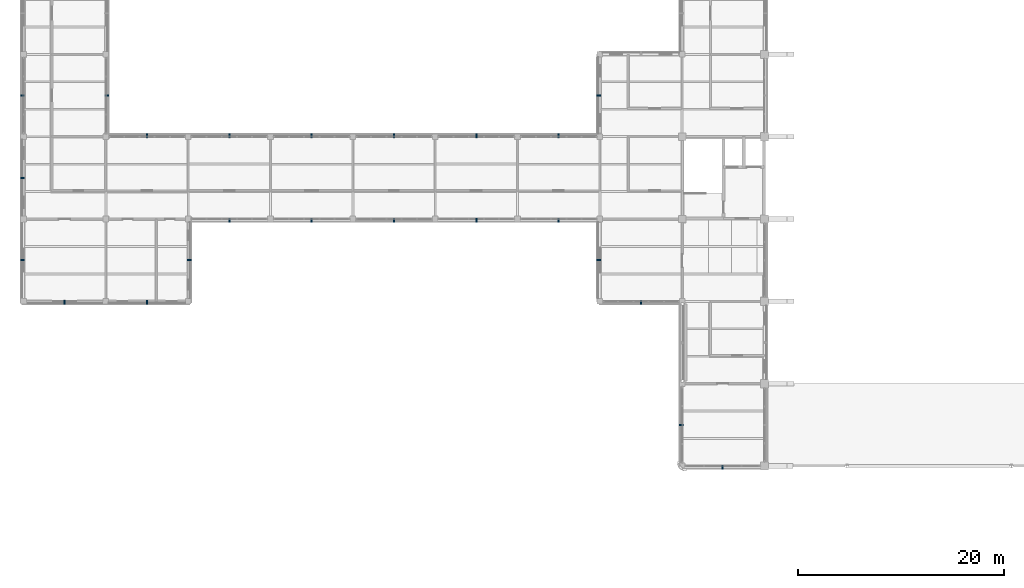
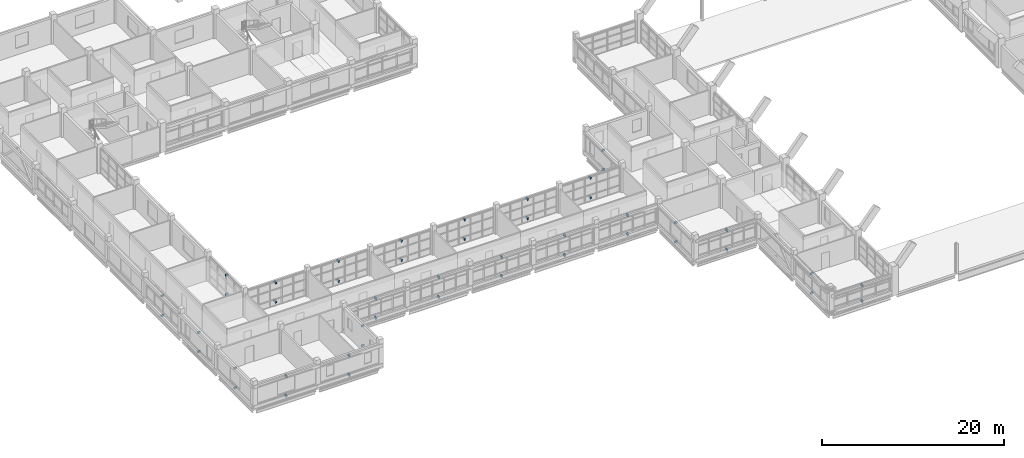
# One storey, part 77 of 92: 46 discrete accessories.
"""IFC4 building model written with IfcOpenShell, lengths in metres."""

from ifc_helpers import new_model, si_unit, derived_unit, direction, frame, origin, origin_2d, place, context, subcontext, project, spatial, rectangle, extrude, material, type_object, element, save


model = new_model("IFC4")

# Units and contexts
model_context = context("Model", 3, precision=1e-05, world=origin(), true_north=direction((0.0, 1.0)))
body_context = subcontext(model_context, "Body", "Model", "MODEL_VIEW")
ifc_project = project(units=[si_unit("LENGTHUNIT", "METRE"), si_unit("AREAUNIT", "SQUARE_METRE"), si_unit("VOLUMEUNIT", "CUBIC_METRE"), si_unit("PLANEANGLEUNIT", "RADIAN"), si_unit("MASSUNIT", "GRAM", prefix="KILO"), derived_unit("THERMALTRANSMITTANCEUNIT", [(si_unit("MASSUNIT", "GRAM", prefix="KILO"), 1), (si_unit("TIMEUNIT", "SECOND"), -3), (si_unit("THERMODYNAMICTEMPERATUREUNIT", "KELVIN"), -1)])], contexts=[model_context])

# Site, building, storey
site_placement = place(None, origin())
site = spatial("IfcSite", under=ifc_project, at=site_placement, CompositionType="ELEMENT")
building_placement = place(site_placement, origin())
building = spatial("IfcBuilding", under=site, at=building_placement, Name="Veyamyaing Civic Hall", CompositionType="ELEMENT")
storey_placement = place(building_placement, frame((0.0, 0.0, 17.820068359375)))
storey = spatial("IfcBuildingStorey", under=building, at=storey_placement, Name="L04", CompositionType="ELEMENT", Elevation=17.820068359375)

# Discrete accessories
ifc_material = material(Name="Steel S355J2", Category="steel")
discrete_accessory_type = type_object("IfcDiscreteAccessoryType", Name="BK-01", PredefinedType="BRACKET", material=ifc_material)
for number, where, z_axis, x_axis, name in (
    (1, (4.0, 39.89990234375, 3.0087890625), (0.0, 0.0, 1.0), (0.0, -1.0, 0.0), "Sunshade anchor bracket BK-01 L04 S 1.6"),
    (2, (4.0, 39.89990234375, 0.35986328125), (0.0, 0.0, 1.0), (0.0, -1.0, 0.0), "Lower ribbon anchor bracket BK-01 L04 S 1.6"),
    (3, (-0.10009765625, 44.0, 3.0087890625), (0.0, 0.0, 1.0), (-1.0, 0.0, 0.0), "Sunshade anchor bracket BK-01 L04 W 1.6"),
    (4, (-0.10009765625, 44.0, 0.35986328125), (0.0, 0.0, 1.0), (-1.0, 0.0, 0.0), "Lower ribbon anchor bracket BK-01 L04 W 1.6"),
    (5, (-0.10009765625, 52.0, 2.94873046875), (0.0, 0.0, 1.0), (-1.0, 0.0, 0.0), "Sunshade anchor bracket BK-01 L04 W 1.7"),
    (6, (-0.10009765625, 52.0, 0.35986328125), (0.0, 0.0, 1.0), (-1.0, 0.0, 0.0), "Lower ribbon anchor bracket BK-01 L04 W 1.7"),
    (7, (-0.10009765625, 60.0, 3.01171875), (0.0, 0.0, 1.0), (-1.0, 0.0, 0.0), "Sunshade anchor bracket BK-01 L04 W 1.8"),
    (8, (-0.10009765625, 60.0, 0.35986328125), (0.0, 0.0, 1.0), (-1.0, 0.0, 0.0), "Lower ribbon anchor bracket BK-01 L04 W 1.8"),
    (9, (8.10009765625, 60.0, 2.94482421875), (0.0, 0.0, 1.0), (1.0, 0.0, 0.0), "Sunshade anchor bracket BK-01 L04 E 1.8"),
    (10, (8.10009765625, 60.0, 0.35986328125), (0.0, 0.0, 1.0), (1.0, 0.0, 0.0), "Lower ribbon anchor bracket BK-01 L04 E 1.8"),
    (11, (12.0, 39.89990234375, 2.94873046875), (0.0, 0.0, 1.0), (0.0, -1.0, 0.0), "Sunshade anchor bracket BK-01 L04 S 2.6"),
    (12, (12.0, 39.89990234375, 0.35986328125), (0.0, 0.0, 1.0), (0.0, -1.0, 0.0), "Lower ribbon anchor bracket BK-01 L04 S 2.6"),
    (13, (16.10009765625, 44.0, 3.01171875), (0.0, 0.0, 1.0), (1.0, 0.0, 0.0), "Sunshade anchor bracket BK-01 L04 E 2.6"),
    (14, (16.10009765625, 44.0, 0.35986328125), (0.0, 0.0, 1.0), (1.0, 0.0, 0.0), "Lower ribbon anchor bracket BK-01 L04 E 2.6"),
    (15, (12.0, 56.10009765625, 2.94482421875), (0.0, 0.0, 1.0), (0.0, 1.0, 0.0), "Sunshade anchor bracket BK-01 L04 N 2.7"),
    (16, (12.0, 56.10009765625, 0.35986328125), (0.0, 0.0, 1.0), (0.0, 1.0, 0.0), "Lower ribbon anchor bracket BK-01 L04 N 2.7"),
    (17, (20.0, 47.89990234375, 2.94482421875), (0.0, 0.0, 1.0), (0.0, -1.0, 0.0), "Sunshade anchor bracket BK-01 L04 S 3.7"),
    (18, (20.0, 47.89990234375, 0.35986328125), (0.0, 0.0, 1.0), (0.0, -1.0, 0.0), "Lower ribbon anchor bracket BK-01 L04 S 3.7"),
    (19, (20.0, 56.10009765625, 3.0087890625), (0.0, 0.0, 1.0), (0.0, 1.0, 0.0), "Sunshade anchor bracket BK-01 L04 N 3.7"),
    (20, (20.0, 56.10009765625, 0.35986328125), (0.0, 0.0, 1.0), (0.0, 1.0, 0.0), "Lower ribbon anchor bracket BK-01 L04 N 3.7"),
    (21, (28.0, 47.89990234375, 3.0087890625), (0.0, 0.0, 1.0), (0.0, -1.0, 0.0), "Sunshade anchor bracket BK-01 L04 S 4.7"),
    (22, (28.0, 47.89990234375, 0.35986328125), (0.0, 0.0, 1.0), (0.0, -1.0, 0.0), "Lower ribbon anchor bracket BK-01 L04 S 4.7"),
    (23, (28.0, 56.10009765625, 2.94873046875), (0.0, 0.0, 1.0), (0.0, 1.0, 0.0), "Sunshade anchor bracket BK-01 L04 N 4.7"),
    (24, (28.0, 56.10009765625, 0.35986328125), (0.0, 0.0, 1.0), (0.0, 1.0, 0.0), "Lower ribbon anchor bracket BK-01 L04 N 4.7"),
    (25, (36.0, 47.89990234375, 2.94873046875), (0.0, 0.0, 1.0), (0.0, -1.0, 0.0), "Sunshade anchor bracket BK-01 L04 S 5.7"),
    (26, (36.0, 47.89990234375, 0.35986328125), (0.0, 0.0, 1.0), (0.0, -1.0, 0.0), "Lower ribbon anchor bracket BK-01 L04 S 5.7"),
    (27, (36.0, 56.10009765625, 3.01171875), (0.0, 0.0, 1.0), (0.0, 1.0, 0.0), "Sunshade anchor bracket BK-01 L04 N 5.7"),
    (28, (36.0, 56.10009765625, 0.35986328125), (0.0, 0.0, 1.0), (0.0, 1.0, 0.0), "Lower ribbon anchor bracket BK-01 L04 N 5.7"),
    (29, (44.0, 47.89990234375, 3.01171875), (0.0, 0.0, 1.0), (0.0, -1.0, 0.0), "Sunshade anchor bracket BK-01 L04 S 6.7"),
    (30, (44.0, 47.89990234375, 0.35986328125), (0.0, 0.0, 1.0), (0.0, -1.0, 0.0), "Lower ribbon anchor bracket BK-01 L04 S 6.7"),
    (31, (44.0, 56.10009765625, 2.94482421875), (0.0, 0.0, 1.0), (0.0, 1.0, 0.0), "Sunshade anchor bracket BK-01 L04 N 6.7"),
    (32, (44.0, 56.10009765625, 0.35986328125), (0.0, 0.0, 1.0), (0.0, 1.0, 0.0), "Lower ribbon anchor bracket BK-01 L04 N 6.7"),
    (33, (52.0, 47.89990234375, 2.94482421875), (0.0, 0.0, 1.0), (0.0, -1.0, 0.0), "Sunshade anchor bracket BK-01 L04 S 7.7"),
    (34, (52.0, 47.89990234375, 0.35986328125), (0.0, 0.0, 1.0), (0.0, -1.0, 0.0), "Lower ribbon anchor bracket BK-01 L04 S 7.7"),
    (35, (52.0, 56.10009765625, 3.0087890625), (0.0, 0.0, 1.0), (0.0, 1.0, 0.0), "Sunshade anchor bracket BK-01 L04 N 7.7"),
    (36, (52.0, 56.10009765625, 0.35986328125), (0.0, 0.0, 1.0), (0.0, 1.0, 0.0), "Lower ribbon anchor bracket BK-01 L04 N 7.7"),
    (37, (60.0, 39.89990234375, 2.94482421875), (0.0, 0.0, 1.0), (0.0, -1.0, 0.0), "Sunshade anchor bracket BK-01 L04 S 8.6"),
    (38, (60.0, 39.89990234375, 0.35986328125), (0.0, 0.0, 1.0), (0.0, -1.0, 0.0), "Lower ribbon anchor bracket BK-01 L04 S 8.6"),
    (39, (55.89990234375, 44.0, 2.94482421875), (0.0, 0.0, 1.0), (-1.0, 0.0, 0.0), "Sunshade anchor bracket BK-01 L04 W 8.6"),
    (40, (55.89990234375, 44.0, 0.35986328125), (0.0, 0.0, 1.0), (-1.0, 0.0, 0.0), "Lower ribbon anchor bracket BK-01 L04 W 8.6"),
    (41, (55.89990234375, 60.0, 2.94873046875), (0.0, 0.0, 1.0), (-1.0, 0.0, 0.0), "Sunshade anchor bracket BK-01 L04 W 8.8"),
    (42, (55.89990234375, 60.0, 0.35986328125), (0.0, 0.0, 1.0), (-1.0, 0.0, 0.0), "Lower ribbon anchor bracket BK-01 L04 W 8.8"),
    (43, (67.9375, 23.89990234375, 2.47705078125), (0.0, 0.0, 1.0), (0.0, -1.0, 0.0), "Sunshade anchor bracket BK-01 L04 S 9.4"),
    (44, (67.9375, 23.89990234375, 0.35986328125), (0.0, 0.0, 1.0), (0.0, -1.0, 0.0), "Lower ribbon anchor bracket BK-01 L04 S 9.4"),
    (45, (63.89990234375, 28.0, 3.01171875), (0.0, 0.0, 1.0), (-1.0, 0.0, 0.0), "Sunshade anchor bracket BK-01 L04 W 9.4"),
    (46, (63.89990234375, 28.0, 0.35986328125), (0.0, 0.0, 1.0), (-1.0, 0.0, 0.0), "Lower ribbon anchor bracket BK-01 L04 W 9.4"),
):
    element("IfcDiscreteAccessory", number, at=place(storey_placement, frame(where, z_axis=z_axis, x_axis=x_axis)), inside=storey, type_object=discrete_accessory_type, Name=name, PredefinedType="BRACKET", context=body_context, shape_type="SweptSolid", body=[
        extrude(rectangle(XDim=0.3798828125, YDim=0.139892578125, at=origin_2d()), origin(), (0.0, 0.0, 1.0), 0.239990234375),
    ])

save(model, "model.ifc")
